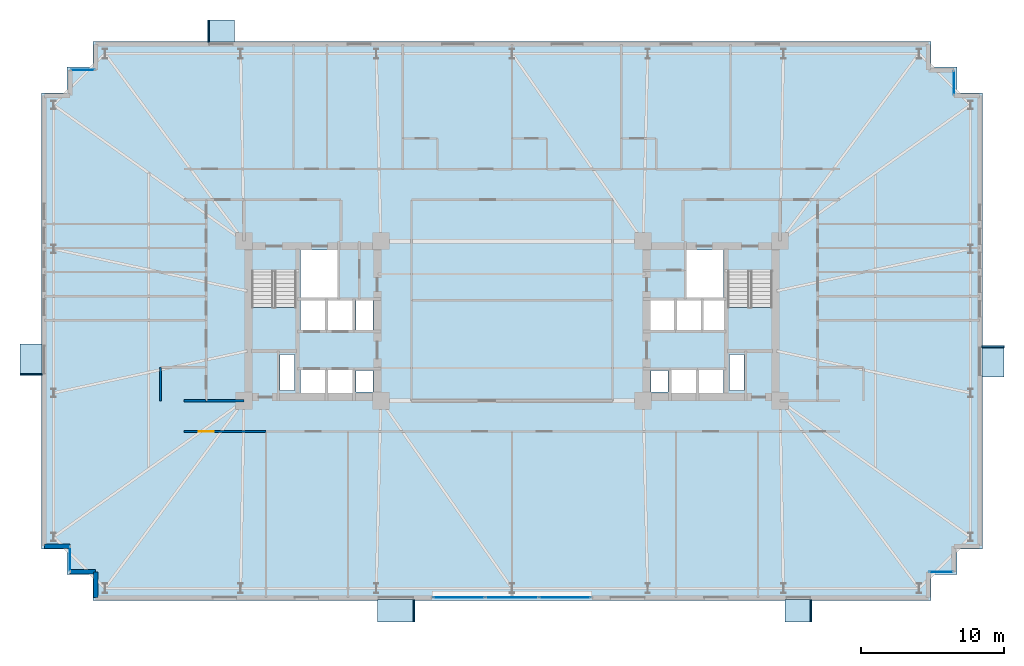
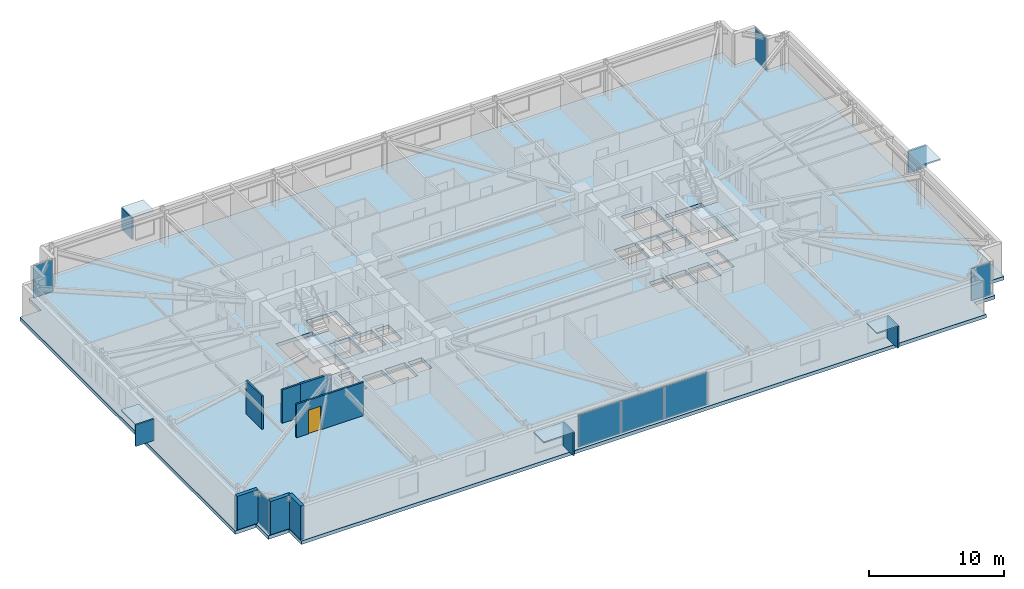
# One storey, part 17 of 24: 17 plates, 7 walls, 3 slabs, 1 door, 1 opening, 7 elements without a shape of their own.
"""IFC4 building model written with IfcOpenShell, lengths in metres."""

from ifc_helpers import new_model, si_unit, direction, frame, frame_2d, origin, origin_2d, place, context, subcontext, project, spatial, polyline, rectangle, outline, extrude, material, layer, layer_set, type_object, element, fill, aggregate, save


model = new_model("IFC4")

# Units and contexts
model_context = context("Model", 3, precision=1e-05, world=origin(), true_north=direction((0.0, 1.0)))
body_context = subcontext(model_context, "Body", "Model", "MODEL_VIEW")
ifc_project = project(units=[si_unit("LENGTHUNIT", "METRE"), si_unit("AREAUNIT", "SQUARE_METRE"), si_unit("VOLUMEUNIT", "CUBIC_METRE"), si_unit("PLANEANGLEUNIT", "RADIAN"), si_unit("MASSUNIT", "GRAM", prefix="KILO")], contexts=[model_context])

# Site, building, storey
site_placement = place(None, origin())
site = spatial("IfcSite", under=ifc_project, at=site_placement, CompositionType="ELEMENT")
building_placement = place(site_placement, origin())
building = spatial("IfcBuilding", under=site, at=building_placement, Name="Qobustan Lattice House", CompositionType="ELEMENT")
storey_placement = place(building_placement, frame((0.0, 0.0, 50.449951171875)))
storey = spatial("IfcBuildingStorey", under=building, at=storey_placement, Name="L13", CompositionType="ELEMENT", Elevation=50.449951171875)

# Curtain wall, plate
ifc_material_1 = material(Name="Anodised aluminium and low-E glazing", Category="aluminium")
ifc_layer_1 = layer(ifc_material_1, 0.219970703125)
ifc_layer_set_1 = layer_set([ifc_layer_1], Name="Anodised aluminium and low-E glazing")
curtain_wall_type_1 = type_object("IfcCurtainWallType", Name="CW-FAC-01", PredefinedType="USERDEFINED", material=ifc_layer_set_1)
curtain_wall_1_placement = place(storey_placement, origin())
curtain_wall_1 = element("IfcCurtainWall", 1, at=curtain_wall_1_placement, inside=storey, type_object=curtain_wall_type_1, Name="L13 serrated corner faceted glazing 3", ObjectType="CURTAIN WALL", PredefinedType="USERDEFINED")
ifc_material_2 = material(Name="Clear low-E laminated glass", Category="glass")
ifc_layer_2 = layer(ifc_material_2, 0.031982421875)
ifc_layer_set_2 = layer_set([ifc_layer_2], Name="Clear low-E laminated glass")
plate_type_1 = type_object("IfcPlateType", Name="CWP-VISION-32", PredefinedType="CURTAIN_PANEL", material=ifc_layer_set_2)
plate_1_placement = place(storey_placement, frame((-31.0, -16.699951171875, 0.06494140625), z_axis=(0.0, 0.0, 1.0), x_axis=(0.0, 1.0, 0.0)))
plate_1 = element("IfcPlate", 2, at=plate_1_placement, type_object=plate_type_1, Name="CW-F1 panel 1.1", PredefinedType="CURTAIN_PANEL", context=body_context, shape_type="SweptSolid", body=[
    extrude(rectangle(XDim=1.659912109375, YDim=0.031982421875, at=origin_2d()), origin(), (0.0, 0.0, 1.0), 2.905029296875),
])
aggregate(curtain_wall_1, [plate_1])

curtain_wall_2_placement = place(storey_placement, origin())
curtain_wall_2 = element("IfcCurtainWall", 3, at=curtain_wall_2_placement, inside=storey, type_object=curtain_wall_type_1, Name="L13 serrated corner faceted glazing 8", ObjectType="CURTAIN WALL", PredefinedType="USERDEFINED")
plate_2_placement = place(storey_placement, frame((-30.10009765625, 17.60009765625, 0.06494140625), z_axis=(0.0, 0.0, 1.0), x_axis=(1.0, 0.0, 0.0)))
plate_2 = element("IfcPlate", 4, at=plate_2_placement, type_object=plate_type_1, Name="CW-F1 panel 1.1", PredefinedType="CURTAIN_PANEL", context=body_context, shape_type="SweptSolid", body=[
    extrude(rectangle(XDim=1.659912109375, YDim=0.031982421875, at=origin_2d()), origin(), (0.0, 0.0, 1.0), 2.905029296875),
])
aggregate(curtain_wall_2, [plate_2])

curtain_wall_3_placement = place(storey_placement, origin())
curtain_wall_3 = element("IfcCurtainWall", 5, at=curtain_wall_3_placement, inside=storey, type_object=curtain_wall_type_1, Name="L13 serrated corner faceted glazing 13", ObjectType="CURTAIN WALL", PredefinedType="USERDEFINED")
plate_3_placement = place(storey_placement, frame((31.0, 16.699951171875, 0.06494140625), z_axis=(0.0, 0.0, 1.0), x_axis=(0.0, -1.0, 0.0)))
plate_3 = element("IfcPlate", 6, at=plate_3_placement, type_object=plate_type_1, Name="CW-F1 panel 1.1", PredefinedType="CURTAIN_PANEL", context=body_context, shape_type="SweptSolid", body=[
    extrude(rectangle(XDim=1.659912109375, YDim=0.031982421875, at=origin_2d()), origin(), (0.0, 0.0, 1.0), 2.905029296875),
])
aggregate(curtain_wall_3, [plate_3])

curtain_wall_4_placement = place(storey_placement, origin())
curtain_wall_4 = element("IfcCurtainWall", 7, at=curtain_wall_4_placement, inside=storey, type_object=curtain_wall_type_1, Name="L13 serrated corner faceted glazing 18", ObjectType="CURTAIN WALL", PredefinedType="USERDEFINED")
plate_4_placement = place(storey_placement, frame((30.10009765625, -17.60009765625, 0.06494140625), z_axis=(0.0, 0.0, 1.0), x_axis=(-1.0, 0.0, 0.0)))
plate_4 = element("IfcPlate", 8, at=plate_4_placement, type_object=plate_type_1, Name="CW-F1 panel 1.1", PredefinedType="CURTAIN_PANEL", context=body_context, shape_type="SweptSolid", body=[
    extrude(rectangle(XDim=1.659912109375, YDim=0.031982421875, at=origin_2d()), origin(), (0.0, 0.0, 1.0), 2.905029296875),
])
aggregate(curtain_wall_4, [plate_4])

# Curtain wall, plates
ifc_material_3 = material(Name="Anodised aluminium and low-E glazing", Category="aluminium")
ifc_layer_3 = layer(ifc_material_3, 0.219970703125)
ifc_layer_set_3 = layer_set([ifc_layer_3], Name="Anodised aluminium and low-E glazing")
curtain_wall_type_2 = type_object("IfcCurtainWallType", Name="CW-IWN-01", PredefinedType="USERDEFINED", material=ifc_layer_set_3)
curtain_wall_5_placement = place(storey_placement, origin())
curtain_wall_5 = element("IfcCurtainWall", 9, at=curtain_wall_5_placement, inside=storey, type_object=curtain_wall_type_2, Name="L13 IWAN-1 walnut-lined iwan curtain wall", ObjectType="CURTAIN WALL", PredefinedType="USERDEFINED")
plate_5_placement = place(storey_placement, frame((3.71337890625, -19.39990234375, 0.06494140625), z_axis=(0.0, 0.0, 1.0), x_axis=(-1.0, 0.0, 0.0)))
plate_5 = element("IfcPlate", 10, at=plate_5_placement, type_object=plate_type_1, Name="CW-IW panel 1.1", PredefinedType="CURTAIN_PANEL", context=body_context, shape_type="SweptSolid", body=[
    extrude(rectangle(XDim=3.61328125, YDim=0.031982421875, at=origin_2d()), origin(), (0.0, 0.0, 1.0), 2.905029296875),
])
plate_6_placement = place(storey_placement, frame((0.0, -19.39990234375, 0.06494140625), z_axis=(0.0, 0.0, 1.0), x_axis=(-1.0, 0.0, 0.0)))
plate_6 = element("IfcPlate", 11, at=plate_6_placement, type_object=plate_type_1, Name="CW-IW panel 2.1", PredefinedType="CURTAIN_PANEL", context=body_context, shape_type="SweptSolid", body=[
    extrude(rectangle(XDim=3.6533203125, YDim=0.031982421875, at=origin_2d()), origin(), (0.0, 0.0, 1.0), 2.905029296875),
])
plate_7_placement = place(storey_placement, frame((-3.71337890625, -19.39990234375, 0.06494140625), z_axis=(0.0, 0.0, 1.0), x_axis=(-1.0, 0.0, 0.0)))
plate_7 = element("IfcPlate", 12, at=plate_7_placement, type_object=plate_type_1, Name="CW-IW panel 3.1", PredefinedType="CURTAIN_PANEL", context=body_context, shape_type="SweptSolid", body=[
    extrude(rectangle(XDim=3.61328125, YDim=0.031982421875, at=origin_2d()), origin(), (0.0, 0.0, 1.0), 2.905029296875),
])
aggregate(curtain_wall_5, [plate_5, plate_6, plate_7])

# Plates
ifc_material_4 = material(Name="Qobustan limestone GFRC", Category="masonry")
ifc_layer_4 = layer(ifc_material_4, 0.1201171875)
ifc_layer_set_4 = layer_set([ifc_layer_4], Name="Qobustan limestone GFRC")
plate_type_2 = type_object("IfcPlateType", Name="SHD-HOOD-BROW", PredefinedType="USERDEFINED", material=ifc_layer_set_4)
plate_8_placement = place(storey_placement, frame((-33.72998046875, -2.719970703125, 2.699951171875), z_axis=(0.0, 0.0, 1.0), x_axis=(0.0, 1.0, 0.0)))
element("IfcPlate", 13, at=plate_8_placement, inside=storey, type_object=plate_type_2, Name="L13 splayed Qobustan stone hood brow", ObjectType="SUNSHADE", PredefinedType="USERDEFINED", context=body_context, shape_type="SweptSolid", body=[
    extrude(rectangle(XDim=2.18994140625, YDim=1.56005859375, at=origin_2d()), origin(), (0.0, 0.0, 1.0), 0.1201171875),
])
plate_9_placement = place(storey_placement, frame((-33.72998046875, -3.7548828125, 0.7900390625), z_axis=(0.0, 0.0, 1.0), x_axis=(0.0, 1.0, 0.0)))
element("IfcPlate", 14, at=plate_9_placement, inside=storey, type_object=plate_type_2, Name="L13 splayed Qobustan stone hood cheek", ObjectType="SUNSHADE", PredefinedType="USERDEFINED", context=body_context, shape_type="SweptSolid", body=[
    extrude(rectangle(XDim=0.1201171875, YDim=1.56005859375, at=origin_2d()), origin(), (0.0, 0.0, 1.0), 1.969970703125),
])
plate_10_placement = place(storey_placement, frame((-20.402587890625, 20.330078125, 2.699951171875), z_axis=(0.0, 0.0, 1.0), x_axis=(1.0, 0.0, 0.0)))
element("IfcPlate", 15, at=plate_10_placement, inside=storey, type_object=plate_type_2, Name="L13 splayed Qobustan stone hood brow", ObjectType="SUNSHADE", PredefinedType="USERDEFINED", context=body_context, shape_type="SweptSolid", body=[
    extrude(rectangle(XDim=1.889892578125, YDim=1.56005859375, at=origin_2d()), origin(), (0.0, 0.0, 1.0), 0.1201171875),
])
plate_11_placement = place(storey_placement, frame((-21.28759765625, 20.330078125, 0.7900390625), z_axis=(0.0, 0.0, 1.0), x_axis=(1.0, 0.0, 0.0)))
element("IfcPlate", 16, at=plate_11_placement, inside=storey, type_object=plate_type_2, Name="L13 splayed Qobustan stone hood cheek", ObjectType="SUNSHADE", PredefinedType="USERDEFINED", context=body_context, shape_type="SweptSolid", body=[
    extrude(rectangle(XDim=0.1201171875, YDim=1.56005859375, at=origin_2d()), origin(), (0.0, 0.0, 1.0), 1.969970703125),
])
plate_12_placement = place(storey_placement, frame((33.72998046875, -2.840087890625, 2.699951171875), z_axis=(0.0, 0.0, 1.0), x_axis=(0.0, -1.0, 0.0)))
element("IfcPlate", 17, at=plate_12_placement, inside=storey, type_object=plate_type_2, Name="L13 splayed Qobustan stone hood brow", ObjectType="SUNSHADE", PredefinedType="USERDEFINED", context=body_context, shape_type="SweptSolid", body=[
    extrude(rectangle(XDim=2.18994140625, YDim=1.56005859375, at=origin_2d()), origin(), (0.0, 0.0, 1.0), 0.1201171875),
])
plate_13_placement = place(storey_placement, frame((33.72998046875, -1.804931640625, 0.7900390625), z_axis=(0.0, 0.0, 1.0), x_axis=(0.0, -1.0, 0.0)))
element("IfcPlate", 18, at=plate_13_placement, inside=storey, type_object=plate_type_2, Name="L13 splayed Qobustan stone hood cheek", ObjectType="SUNSHADE", PredefinedType="USERDEFINED", context=body_context, shape_type="SweptSolid", body=[
    extrude(rectangle(XDim=0.1201171875, YDim=1.56005859375, at=origin_2d()), origin(), (0.0, 0.0, 1.0), 1.969970703125),
])
plate_14_placement = place(storey_placement, frame((20.080078125, -20.330078125, 2.699951171875), z_axis=(0.0, 0.0, 1.0), x_axis=(-1.0, 0.0, 0.0)))
element("IfcPlate", 19, at=plate_14_placement, inside=storey, type_object=plate_type_2, Name="L13 splayed Qobustan stone hood brow", ObjectType="SUNSHADE", PredefinedType="USERDEFINED", context=body_context, shape_type="SweptSolid", body=[
    extrude(rectangle(XDim=1.889892578125, YDim=1.56005859375, at=origin_2d()), origin(), (0.0, 0.0, 1.0), 0.1201171875),
])
plate_15_placement = place(storey_placement, frame((20.965087890625, -20.330078125, 0.7900390625), z_axis=(0.0, 0.0, 1.0), x_axis=(-1.0, 0.0, 0.0)))
element("IfcPlate", 20, at=plate_15_placement, inside=storey, type_object=plate_type_2, Name="L13 splayed Qobustan stone hood cheek", ObjectType="SUNSHADE", PredefinedType="USERDEFINED", context=body_context, shape_type="SweptSolid", body=[
    extrude(rectangle(XDim=0.1201171875, YDim=1.56005859375, at=origin_2d()), origin(), (0.0, 0.0, 1.0), 1.969970703125),
])
plate_16_placement = place(storey_placement, frame((-8.1298828125, -20.330078125, 2.800048828125), z_axis=(0.0, 0.0, 1.0), x_axis=(-1.0, 0.0, 0.0)))
element("IfcPlate", 21, at=plate_16_placement, inside=storey, type_object=plate_type_2, Name="L13 splayed Qobustan stone hood brow", ObjectType="SUNSHADE", PredefinedType="USERDEFINED", context=body_context, shape_type="SweptSolid", body=[
    extrude(rectangle(XDim=2.639892578125, YDim=1.56005859375, at=origin_2d()), origin(), (0.0, 0.0, 1.0), 0.1201171875),
])
plate_17_placement = place(storey_placement, frame((-6.8701171875, -20.330078125, 0.7900390625), z_axis=(0.0, 0.0, 1.0), x_axis=(-1.0, 0.0, 0.0)))
element("IfcPlate", 22, at=plate_17_placement, inside=storey, type_object=plate_type_2, Name="L13 splayed Qobustan stone hood cheek", ObjectType="SUNSHADE", PredefinedType="USERDEFINED", context=body_context, shape_type="SweptSolid", body=[
    extrude(rectangle(XDim=0.1201171875, YDim=1.56005859375, at=origin_2d()), origin(), (0.0, 0.0, 1.0), 2.070068359375),
])

# Slab
ifc_material_5 = material(Name="Concrete C40/50", Category="concrete")
ifc_layer_5 = layer(ifc_material_5, 0.31494140625)
ifc_layer_set_5 = layer_set([ifc_layer_5], Name="Concrete C40/50")
slab_type_1 = type_object("IfcSlabType", Name="SLB-FLR-315", PredefinedType="FLOOR", material=ifc_layer_set_5)
slab_1_placement = place(storey_placement, frame((0.0, 0.0, -0.31494140625)))
element("IfcSlab", 23, at=slab_1_placement, inside=storey, type_object=slab_type_1, Name="L13 structural floor slab", PredefinedType="FLOOR", context=body_context, shape_type="SweptSolid", body=[
    extrude(outline(polyline([(-29.39990234375, -19.60009765625), (29.39990234375, -19.60009765625), (29.39990234375, -17.800048828125), (31.199951171875, -17.800048828125), (31.199951171875, -16.0), (33.0, -16.0), (33.0, 16.0), (31.199951171875, 16.0), (31.199951171875, 17.800048828125), (29.39990234375, 17.800048828125), (29.39990234375, 19.60009765625), (-29.39990234375, 19.60009765625), (-29.39990234375, 17.800048828125), (-31.199951171875, 17.800048828125), (-31.199951171875, 16.0), (-33.0, 16.0), (-33.0, -16.0), (-31.199951171875, -16.0), (-31.199951171875, -17.800048828125), (-29.39990234375, -17.800048828125), (-29.39990234375, -19.60009765625)]), holes=[polyline([(-18.25, -2.050048828125), (-18.25, 3.489990234375), (-15.1298828125, 3.489990234375), (-15.1298828125, -2.050048828125), (-18.25, -2.050048828125)]), polyline([(15.1298828125, -2.050048828125), (15.1298828125, 3.489990234375), (18.25, 3.489990234375), (18.25, -2.050048828125), (15.1298828125, -2.050048828125)]), polyline([(-14.820068359375, 1.64990234375), (-14.820068359375, 4.9599609375), (-12.25, 4.9599609375), (-12.25, 1.64990234375), (-14.820068359375, 1.64990234375)]), polyline([(12.25, 1.64990234375), (12.25, 4.9599609375), (14.820068359375, 4.9599609375), (14.820068359375, 1.64990234375), (12.25, 1.64990234375)]), polyline([(-16.260009765625, -4.8798828125), (-16.260009765625, -2.360107421875), (-15.260009765625, -2.360107421875), (-15.260009765625, -4.8798828125), (-16.260009765625, -4.8798828125)]), polyline([(15.260009765625, -4.8798828125), (15.260009765625, -2.360107421875), (16.260009765625, -2.360107421875), (16.260009765625, -4.8798828125), (15.260009765625, -4.8798828125)]), polyline([(-14.85009765625, -5.35009765625), (-14.85009765625, -3.419921875), (-13.1201171875, -3.419921875), (-13.1201171875, -5.35009765625), (-14.85009765625, -5.35009765625)]), polyline([(-12.919921875, -5.35009765625), (-12.919921875, -3.419921875), (-11.179931640625, -3.419921875), (-11.179931640625, -5.35009765625), (-12.919921875, -5.35009765625)]), polyline([(-14.85009765625, -0.679931640625), (-14.85009765625, 1.47998046875), (-13.1201171875, 1.47998046875), (-13.1201171875, -0.679931640625), (-14.85009765625, -0.679931640625)]), polyline([(-12.919921875, -0.679931640625), (-12.919921875, 1.47998046875), (-11.179931640625, 1.47998046875), (-11.179931640625, -0.679931640625), (-12.919921875, -0.679931640625)]), polyline([(-10.93994140625, -5.0), (-10.93994140625, -3.47998046875), (-9.760009765625, -3.47998046875), (-9.760009765625, -5.0), (-10.93994140625, -5.0)]), polyline([(-10.93994140625, -0.6201171875), (-10.93994140625, 1.419921875), (-9.760009765625, 1.419921875), (-9.760009765625, -0.6201171875), (-10.93994140625, -0.6201171875)]), polyline([(11.179931640625, -5.35009765625), (11.179931640625, -3.419921875), (12.919921875, -3.419921875), (12.919921875, -5.35009765625), (11.179931640625, -5.35009765625)]), polyline([(13.1201171875, -5.35009765625), (13.1201171875, -3.419921875), (14.85009765625, -3.419921875), (14.85009765625, -5.35009765625), (13.1201171875, -5.35009765625)]), polyline([(9.760009765625, -5.0), (9.760009765625, -3.47998046875), (10.93994140625, -3.47998046875), (10.93994140625, -5.0), (9.760009765625, -5.0)]), polyline([(13.360107421875, -0.679931640625), (13.360107421875, 1.47998046875), (14.97998046875, 1.47998046875), (14.97998046875, -0.679931640625), (13.360107421875, -0.679931640625)]), polyline([(9.6201171875, -0.679931640625), (9.6201171875, 1.47998046875), (11.43994140625, 1.47998046875), (11.43994140625, -0.679931640625), (9.6201171875, -0.679931640625)]), polyline([(11.5, -0.679931640625), (11.5, 1.47998046875), (13.320068359375, 1.47998046875), (13.320068359375, -0.679931640625), (11.5, -0.679931640625)])]), origin(), (0.0, 0.0, 1.0), 0.31494140625),
])

# Stair, slab
ifc_material_6 = material(Name="Concrete C40/50", Category="concrete")
stair_type = type_object("IfcStairType", Name="STR-CORE-DOGLEG", PredefinedType="HALF_TURN_STAIR", material=ifc_material_6)
stair_1_placement = place(storey_placement, origin())
stair_1 = element("IfcStair", 24, at=stair_1_placement, inside=storey, type_object=stair_type, Name="L13 West protected exit stair ST-W1", PredefinedType="HALF_TURN_STAIR")
ifc_material_7 = material(Name="Concrete C40/50", Category="concrete")
ifc_layer_6 = layer(ifc_material_7, 0.199951171875)
ifc_layer_set_6 = layer_set([ifc_layer_6], Name="Concrete C40/50")
slab_type_2 = type_object("IfcSlabType", Name="SLB-LANDING-200", PredefinedType="LANDING", material=ifc_layer_set_6)
slab_2_placement = place(storey_placement, frame((0.0, 0.0, 1.47509765625)))
slab_2 = element("IfcSlab", 25, at=slab_2_placement, type_object=slab_type_2, Name="ST-W1 landing 1", PredefinedType="LANDING", context=body_context, shape_type="SweptSolid", body=[
    extrude(outline(polyline([(-18.25, 0.93505859375), (-18.25, -2.050048828125), (-15.1298828125, -2.050048828125), (-15.1298828125, 0.93505859375), (-18.25, 0.93505859375)])), origin(), (0.0, 0.0, 1.0), 0.199951171875),
])
aggregate(stair_1, [slab_2])

stair_2_placement = place(storey_placement, origin())
stair_2 = element("IfcStair", 26, at=stair_2_placement, inside=storey, type_object=stair_type, Name="L13 East protected exit stair ST-E1", PredefinedType="HALF_TURN_STAIR")
slab_3_placement = place(storey_placement, frame((0.0, 0.0, 1.47509765625)))
slab_3 = element("IfcSlab", 27, at=slab_3_placement, type_object=slab_type_2, Name="ST-E1 landing 1", PredefinedType="LANDING", context=body_context, shape_type="SweptSolid", body=[
    extrude(outline(polyline([(15.1298828125, 0.93505859375), (15.1298828125, -2.050048828125), (18.25, -2.050048828125), (18.25, 0.93505859375), (15.1298828125, 0.93505859375)])), origin(), (0.0, 0.0, 1.0), 0.199951171875),
])
aggregate(stair_2, [slab_3])

# Walls
ifc_material_8 = material(Name="Precast concrete C40/50", Category="concrete")
ifc_layer_7 = layer(ifc_material_8, 0.320068359375)
ifc_layer_set_7 = layer_set([ifc_layer_7], Name="Precast concrete C40/50")
wall_type_1 = type_object("IfcWallType", Name="WAL-EXT-STONE-320", PredefinedType="SOLIDWALL", material=ifc_layer_set_7)
wall_1_placement = place(storey_placement, frame((-29.199951171875, -19.39990234375, 0.0), z_axis=(0.0, 0.0, 1.0), x_axis=(0.0, 1.0, 0.0)))
element("IfcWall", 28, at=wall_1_placement, inside=storey, type_object=wall_type_1, Name="L13 exterior limestone-clad wall 1", PredefinedType="SOLIDWALL", context=body_context, shape_type="SweptSolid", body=[
    extrude(rectangle(XDim=1.7998046875, YDim=0.320068359375, at=frame_2d((0.89990234375, 0.0))), origin(), (0.0, 0.0, 1.0), 3.03515625),
])
for number, where, z_axis, x_axis, name in (
    (29, (-29.199951171875, -17.60009765625, 0.0), (0.0, 0.0, 1.0), (-1.0, 0.0, 0.0), "L13 exterior limestone-clad wall 2"),
    (30, (-31.0, -15.800048828125, 0.0), (0.0, 0.0, 1.0), (-1.0, 0.0, 0.0), "L13 exterior limestone-clad wall 4"),
):
    element("IfcWall", number, at=place(storey_placement, frame(where, z_axis=z_axis, x_axis=x_axis)), inside=storey, type_object=wall_type_1, Name=name, PredefinedType="SOLIDWALL", context=body_context, shape_type="SweptSolid", body=[
        extrude(rectangle(XDim=1.800048828125, YDim=0.320068359375, at=frame_2d((0.89990234375, 0.0))), origin(), (0.0, 0.0, 1.0), 3.03515625),
    ])
ifc_material_9 = material(Name="Gypsum fireboard acoustic partition", Category="gypsum")
ifc_layer_8 = layer(ifc_material_9, 0.179931640625)
ifc_layer_set_8 = layer_set([ifc_layer_8], Name="Gypsum fireboard acoustic partition")
wall_type_2 = type_object("IfcWallType", Name="WAL-FIRE-180", PredefinedType="PARTITIONING", material=ifc_layer_set_8)
wall_2_placement = place(storey_placement, frame((-21.449951171875, -5.60009765625, 0.0), z_axis=(0.0, 0.0, 1.0), x_axis=(1.0, 0.0, 0.0)))
element("IfcWall", 31, at=wall_2_placement, inside=storey, type_object=wall_type_2, Name="L13 interior partition 54", PredefinedType="PARTITIONING", context=body_context, shape_type="SweptSolid", body=[
    extrude(rectangle(XDim=2.64990234375, YDim=0.179931640625, at=frame_2d((1.324951171875, 0.0))), origin(), (0.0, 0.0, 1.0), 3.03515625),
])

# Wall, opening, door
ifc_material_10 = material(Name="Acoustic twin-stud gypsum partition", Category="gypsum")
ifc_layer_9 = layer(ifc_material_10, 0.14990234375)
ifc_layer_set_9 = layer_set([ifc_layer_9], Name="Acoustic twin-stud gypsum partition")
wall_type_3 = type_object("IfcWallType", Name="WAL-PART-150", PredefinedType="PARTITIONING", material=ifc_layer_set_9)
wall_3_placement = place(storey_placement, frame((-17.25, -7.75, 0.0), z_axis=(0.0, 0.0, 1.0), x_axis=(-1.0, 0.0, 0.0)))
wall_3 = element("IfcWall", 32, at=wall_3_placement, inside=storey, type_object=wall_type_3, Name="L13 interior partition 56", PredefinedType="PARTITIONING", context=body_context, shape_type="SweptSolid", body=[
    extrude(rectangle(XDim=5.75, YDim=0.14990234375, at=frame_2d((2.875, 0.0))), origin(), (0.0, 0.0, 1.0), 3.03515625),
])
opening_placement = place(wall_3_placement, frame((3.677490234375, 0.0, 0.0)))
opening = element("IfcOpeningElement", 33, at=opening_placement, cuts=wall_3, Name="Opening ID-02", PredefinedType="OPENING", context=body_context, shape_type="SweptSolid", body=[
    extrude(rectangle(XDim=1.050048828125, YDim=2.14990234375, at=frame_2d((0.52490234375, 1.074951171875))), frame((0.0, 0.0849609375, 0.0), z_axis=(0.0, -1.0, 0.0), x_axis=(1.0, 0.0, 0.0)), (0.0, 0.0, 1.0), 0.169921875),
])
ifc_material_11 = material(Name="Persian walnut timber and steel frame door", Category="steel")
door_type = type_object("IfcDoorType", Name="DOR-STUDY-1050x2150", OperationType="NOTDEFINED", PredefinedType="DOOR", material=ifc_material_11)
door_placement = place(opening_placement, origin())
door = element("IfcDoor", 34, at=door_placement, inside=storey, type_object=door_type, Name="L13 South-west floor corridor to Focus study room S1A door", OperationType="SINGLE_SWING_RIGHT", OverallHeight=2.14990234375, OverallWidth=1.050048828125, PredefinedType="DOOR", context=body_context, shape_type="SweptSolid", body=[
    extrude(rectangle(XDim=1.050048828125, YDim=2.14990234375, at=frame_2d((0.52490234375, 1.074951171875))), frame((0.0, 0.02490234375, 0.0), z_axis=(0.0, -1.0, 0.0), x_axis=(1.0, 0.0, 0.0)), (0.0, 0.0, 1.0), 0.050048828125),
])
fill(opening, door)

# Walls
ifc_material_12 = material(Name="Moisture-resistant acoustic plumbing wall", Category="gypsum")
ifc_layer_10 = layer(ifc_material_12, 0.14990234375)
ifc_layer_set_10 = layer_set([ifc_layer_10], Name="Moisture-resistant acoustic plumbing wall")
wall_type_4 = type_object("IfcWallType", Name="WAL-WET-150", PredefinedType="PLUMBINGWALL", material=ifc_layer_set_10)
wall_4_placement = place(storey_placement, frame((-23.0, -5.60009765625, 0.0), z_axis=(0.0, 0.0, 1.0), x_axis=(1.0, 0.0, 0.0)))
element("IfcWall", 35, at=wall_4_placement, inside=storey, type_object=wall_type_4, Name="L13 interior partition 55", PredefinedType="PLUMBINGWALL", context=body_context, shape_type="SweptSolid", body=[
    extrude(rectangle(XDim=1.550048828125, YDim=0.14990234375, at=frame_2d((0.77490234375, 0.0))), origin(), (0.0, 0.0, 1.0), 3.03515625),
])
wall_5_placement = place(storey_placement, frame((-24.64990234375, -5.60009765625, 0.0), z_axis=(0.0, 0.0, 1.0), x_axis=(0.0, 1.0, 0.0)))
element("IfcWall", 36, at=wall_5_placement, inside=storey, type_object=wall_type_4, Name="L13 interior partition 78", PredefinedType="PLUMBINGWALL", context=body_context, shape_type="SweptSolid", body=[
    extrude(rectangle(XDim=2.35009765625, YDim=0.14990234375, at=frame_2d((1.175048828125, 0.0))), origin(), (0.0, 0.0, 1.0), 3.03515625),
])

save(model, "model.ifc")
